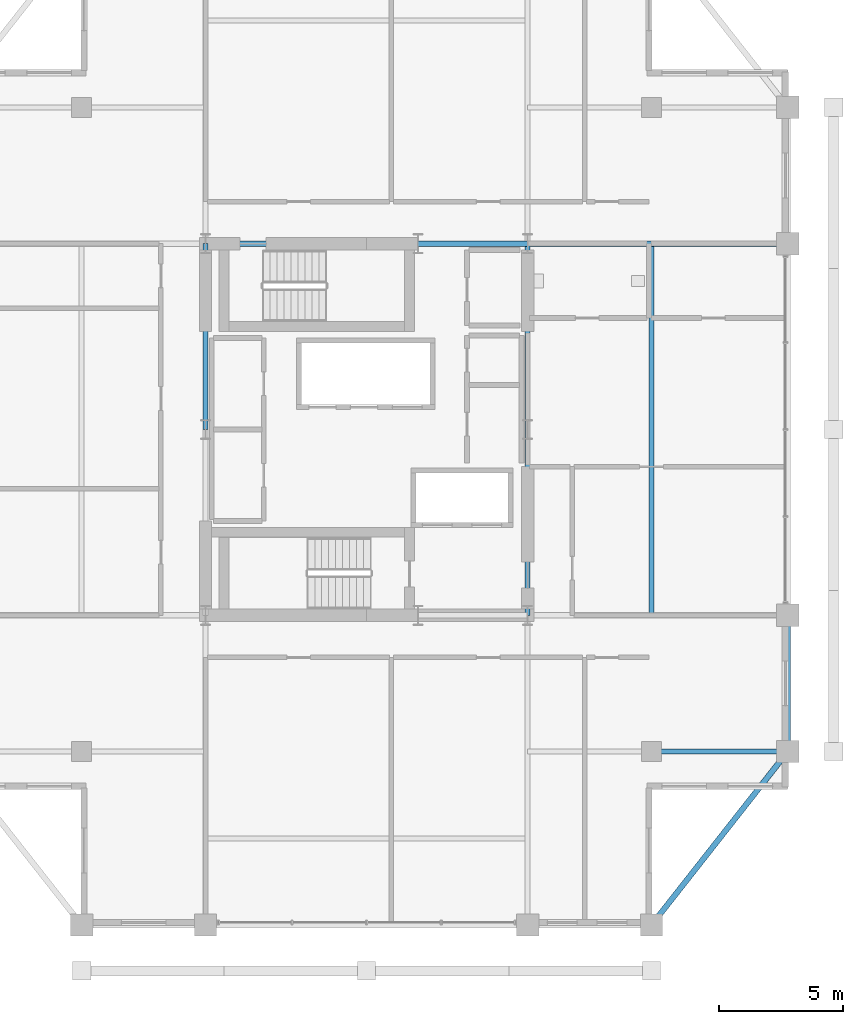
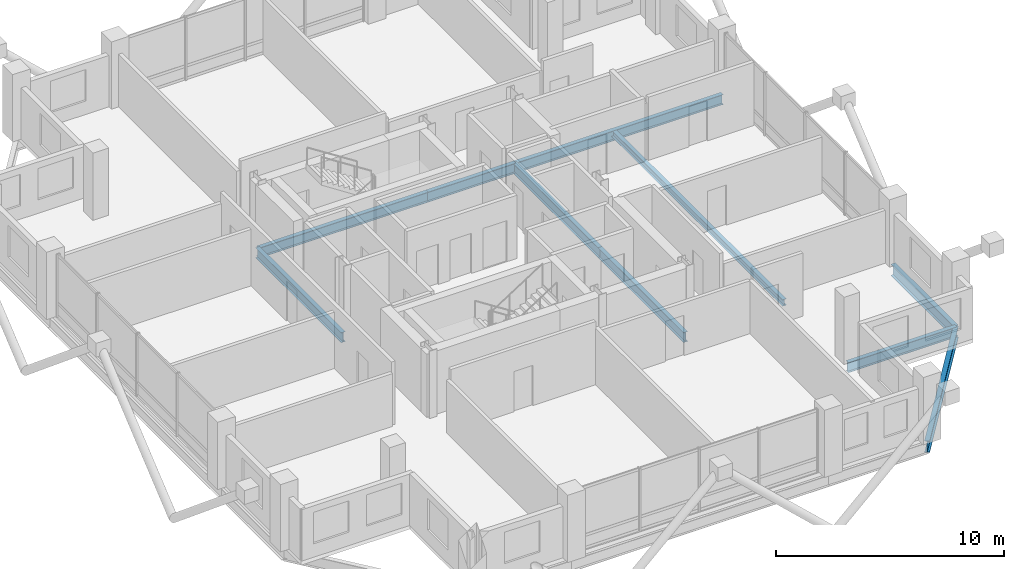
# One storey, part 10 of 22: 10 beams.
"""IFC4 building model written with IfcOpenShell, lengths in metres."""

from ifc_helpers import new_model, si_unit, direction, frame, origin, origin_2d, place, context, subcontext, project, spatial, i_section, extrude, material, material_profile, profile_set, type_object, element, save


model = new_model("IFC4")

# Units and contexts
model_context = context("Model", 3, precision=1e-05, world=origin(), true_north=direction((0.0, 1.0)))
body_context = subcontext(model_context, "Body", "Model", "MODEL_VIEW")
ifc_project = project(units=[si_unit("LENGTHUNIT", "METRE"), si_unit("AREAUNIT", "SQUARE_METRE"), si_unit("VOLUMEUNIT", "CUBIC_METRE"), si_unit("PLANEANGLEUNIT", "RADIAN"), si_unit("MASSUNIT", "GRAM", prefix="KILO")], contexts=[model_context])

# Site, building, storey
site_placement = place(None, origin())
site = spatial("IfcSite", under=ifc_project, at=site_placement, CompositionType="ELEMENT")
building_placement = place(site_placement, origin())
building = spatial("IfcBuilding", under=site, at=building_placement, Name="Barlavira Tower and Art Museum", CompositionType="ELEMENT")
storey_placement = place(building_placement, frame((0.0, 0.0, 258.300048828125)))
storey = spatial("IfcBuildingStorey", under=building, at=storey_placement, Name="L67", CompositionType="ELEMENT", Elevation=258.300048828125)

# Beams
ifc_material = material(Name="Steel S355", Category="steel")
ifc_material_profile_1 = material_profile(ifc_material, i_section(OverallWidth=0.22998046875, OverallDepth=0.616943359375, WebThickness=0.01318359375, FlangeThickness=0.022216796875, at=origin_2d()), Name="W610x140.0")
ifc_profile_set_1 = profile_set([ifc_material_profile_1], Name="Steel S355")
beam_type_1 = type_object("IfcBeamType", Name="Upper Shaft Spandrel Edge Beam W610x140 Steel S355", PredefinedType="SPANDREL", material=ifc_profile_set_1)
beam_1_placement = place(storey_placement, frame((11.5, -20.0, -0.528564453125), z_axis=(0.617821551932, 0.786318338822, 0.0), x_axis=(-0.786318338822, 0.617821551932, 0.0)))
element("IfcBeam", 1, at=beam_1_placement, inside=storey, type_object=beam_type_1, Name="L67 Spandrel 4", PredefinedType="SPANDREL", context=body_context, shape_type="SweptSolid", body=[
    extrude(i_section(OverallWidth=0.22998046875, OverallDepth=0.616943359375, WebThickness=0.01318359375, FlangeThickness=0.022216796875, at=origin_2d()), origin(), (0.0, 0.0, 1.0), 8.90234375),
])
beam_2_placement = place(storey_placement, frame((17.0, -13.0, -0.528564453125), z_axis=(0.0, 1.0, 0.0), x_axis=(-1.0, 0.0, 0.0)))
element("IfcBeam", 2, at=beam_2_placement, inside=storey, type_object=beam_type_1, Name="L67 Spandrel 5", PredefinedType="SPANDREL", context=body_context, shape_type="SweptSolid", body=[
    extrude(i_section(OverallWidth=0.22998046875, OverallDepth=0.616943359375, WebThickness=0.01318359375, FlangeThickness=0.022216796875, at=origin_2d()), origin(), (0.0, 0.0, 1.0), 5.5),
])
ifc_material_profile_2 = material_profile(ifc_material, i_section(OverallWidth=0.2109375, OverallDepth=0.5390625, WebThickness=0.01171875, FlangeThickness=0.018798828125, at=origin_2d()), Name="W530x109.0")
ifc_profile_set_2 = profile_set([ifc_material_profile_2], Name="Steel S355")
beam_type_2 = type_object("IfcBeamType", Name="Zone 3-4 Primary Floor Girder W530x109 Steel S355", PredefinedType="BEAM", material=ifc_profile_set_2)
beam_3_placement = place(storey_placement, frame((-6.5, 7.5, -0.489501953125), z_axis=(1.0, 0.0, 0.0), x_axis=(0.0, 1.0, 0.0)))
element("IfcBeam", 3, at=beam_3_placement, inside=storey, type_object=beam_type_2, Name="L67 Girder C-N1", PredefinedType="BEAM", context=body_context, shape_type="SweptSolid", body=[
    extrude(i_section(OverallWidth=0.2109375, OverallDepth=0.5390625, WebThickness=0.01171875, FlangeThickness=0.018798828125, at=origin_2d()), origin(), (0.0, 0.0, 1.0), 8.580078125),
])
beam_4_placement = place(storey_placement, frame((2.080078125, 7.5, -0.489501953125), z_axis=(1.0, 0.0, 0.0), x_axis=(0.0, 1.0, 0.0)))
element("IfcBeam", 4, at=beam_4_placement, inside=storey, type_object=beam_type_2, Name="L67 Girder C-N2", PredefinedType="BEAM", context=body_context, shape_type="SweptSolid", body=[
    extrude(i_section(OverallWidth=0.2109375, OverallDepth=0.5390625, WebThickness=0.01171875, FlangeThickness=0.018798828125, at=origin_2d()), origin(), (0.0, 0.0, 1.0), 4.419921875),
])
for number, where, z_axis, x_axis, name in (
    (5, (-6.5, 0.0, -0.489501953125), (0.0, 1.0, 0.0), (-1.0, 0.0, 0.0), "L67 Girder C-W2"),
    (6, (6.5, -7.5, -0.489501953125), (0.0, 1.0, 0.0), (-1.0, 0.0, 0.0), "L67 Girder C-E1"),
    (7, (6.5, 0.0, -0.489501953125), (0.0, 1.0, 0.0), (-1.0, 0.0, 0.0), "L67 Girder C-E2"),
):
    element("IfcBeam", number, at=place(storey_placement, frame(where, z_axis=z_axis, x_axis=x_axis)), inside=storey, type_object=beam_type_2, Name=name, PredefinedType="BEAM", context=body_context, shape_type="SweptSolid", body=[
        extrude(i_section(OverallWidth=0.2109375, OverallDepth=0.5390625, WebThickness=0.01171875, FlangeThickness=0.018798828125, at=origin_2d()), origin(), (0.0, 0.0, 1.0), 7.5),
    ])
beam_5_placement = place(storey_placement, frame((6.5, 7.5, -0.489501953125), z_axis=(1.0, 0.0, 0.0), x_axis=(0.0, 1.0, 0.0)))
element("IfcBeam", 8, at=beam_5_placement, inside=storey, type_object=beam_type_2, Name="L67 Girder R-E2", PredefinedType="BEAM", context=body_context, shape_type="SweptSolid", body=[
    extrude(i_section(OverallWidth=0.2109375, OverallDepth=0.5390625, WebThickness=0.01171875, FlangeThickness=0.018798828125, at=origin_2d()), origin(), (0.0, 0.0, 1.0), 10.5),
])
beam_6_placement = place(storey_placement, frame((11.5, -13.0, -0.489501953125), z_axis=(1.0, 0.0, 0.0), x_axis=(0.0, 1.0, 0.0)))
element("IfcBeam", 9, at=beam_6_placement, inside=storey, type_object=beam_type_2, Name="L67 Girder I-S4", PredefinedType="BEAM", context=body_context, shape_type="SweptSolid", body=[
    extrude(i_section(OverallWidth=0.2109375, OverallDepth=0.5390625, WebThickness=0.01171875, FlangeThickness=0.018798828125, at=origin_2d()), origin(), (0.0, 0.0, 1.0), 5.5),
])
ifc_material_profile_3 = material_profile(ifc_material, i_section(OverallWidth=0.202880859375, OverallDepth=0.346923828125, WebThickness=0.0078125, FlangeThickness=0.013427734375, at=origin_2d()), Name="W360x64.0")
ifc_profile_set_3 = profile_set([ifc_material_profile_3], Name="Steel S355")
beam_type_3 = type_object("IfcBeamType", Name="Zone 4 Composite Floor Joist W360x64 Steel S355", PredefinedType="JOIST", material=ifc_profile_set_3)
beam_7_placement = place(storey_placement, frame((11.5, -7.5, -0.3935546875), z_axis=(0.0, 1.0, 0.0), x_axis=(-1.0, 0.0, 0.0)))
element("IfcBeam", 10, at=beam_7_placement, inside=storey, type_object=beam_type_3, Name="L67 Joist W2", PredefinedType="JOIST", context=body_context, shape_type="SweptSolid", body=[
    extrude(i_section(OverallWidth=0.202880859375, OverallDepth=0.346923828125, WebThickness=0.0078125, FlangeThickness=0.013427734375, at=origin_2d()), origin(), (0.0, 0.0, 1.0), 15.0),
])

save(model, "model.ifc")
